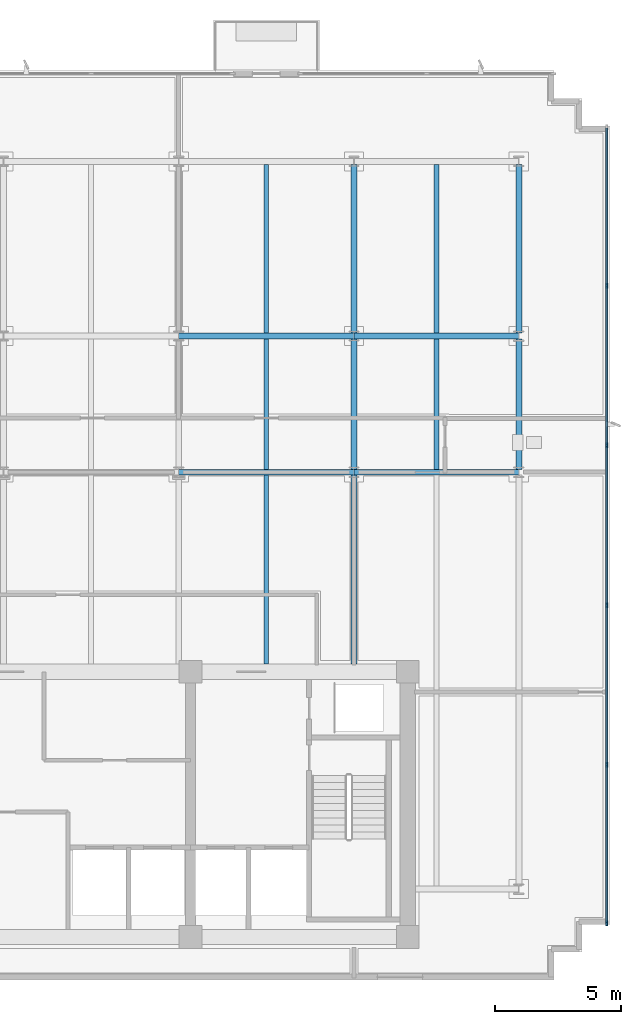
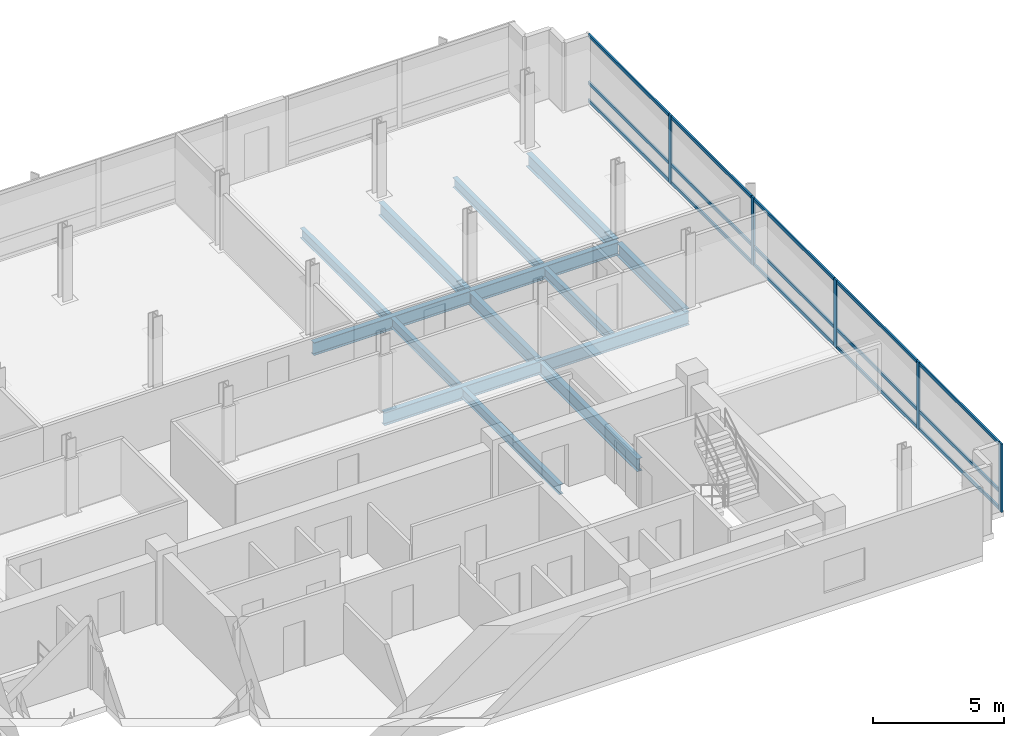
# One storey, part 4 of 15: 20 members, 14 beams, 1 element without a shape of its own.
"""IFC4 building model written with IfcOpenShell, lengths in metres."""

from ifc_helpers import new_model, si_unit, direction, frame, origin, origin_2d, place, context, subcontext, project, spatial, rectangle, i_section, extrude, material, material_profile, profile_set, type_object, element, aggregate, save


model = new_model("IFC4")

# Units and contexts
model_context = context("Model", 3, precision=1e-05, world=origin(), true_north=direction((0.0, 1.0)))
body_context = subcontext(model_context, "Body", "Model", "MODEL_VIEW")
ifc_project = project(units=[si_unit("LENGTHUNIT", "METRE"), si_unit("AREAUNIT", "SQUARE_METRE"), si_unit("VOLUMEUNIT", "CUBIC_METRE"), si_unit("PLANEANGLEUNIT", "RADIAN"), si_unit("MASSUNIT", "GRAM", prefix="KILO")], contexts=[model_context])

# Site, building, storey
site_placement = place(None, origin())
site = spatial("IfcSite", under=ifc_project, at=site_placement, CompositionType="ELEMENT")
building_placement = place(site_placement, origin())
building = spatial("IfcBuilding", under=site, at=building_placement, Name="Solmavex Isthmus Hotel", CompositionType="ELEMENT")
storey_placement = place(building_placement, frame((0.0, 0.0, 273.0)))
storey = spatial("IfcBuildingStorey", under=building, at=storey_placement, Name="L74", CompositionType="ELEMENT", Elevation=273.0)

# Beams
ifc_material_1 = material(Name="Steel ASTM A992 Grade 50", Category="steel")
ifc_material_profile_1 = material_profile(ifc_material_1, i_section(OverallWidth=0.1904296875, OverallDepth=0.456787109375, WebThickness=0.009033203125, FlangeThickness=0.014404296875, FilletRadius=0.0126953125, at=origin_2d()), Name="W18X50")
ifc_profile_set_1 = profile_set([ifc_material_profile_1], Name="Steel ASTM A992 Grade 50")
beam_type_1 = type_object("IfcBeamType", Name="BM-BJ-W18X50", PredefinedType="JOIST", material=ifc_profile_set_1)
beam_1_placement = place(storey_placement, frame((10.404052734375, -2.199951171875, -0.488525390625), z_axis=(0.0, 1.0, 0.0), x_axis=(-1.0, 0.0, 0.0)))
element("IfcBeam", 1, at=beam_1_placement, inside=storey, type_object=beam_type_1, Name="Secondary Floor Joist L74-J13", PredefinedType="JOIST", context=body_context, shape_type="SweptSolid", body=[
    extrude(i_section(OverallWidth=0.1904296875, OverallDepth=0.456787109375, WebThickness=0.009033203125, FlangeThickness=0.014404296875, FilletRadius=0.0126953125, at=origin_2d()), origin(), (0.0, 0.0, 1.0), 7.486083984375),
])
beam_2_placement = place(storey_placement, frame((10.404052734375, 5.513916015625, -0.488525390625), z_axis=(0.0, 1.0, 0.0), x_axis=(-1.0, 0.0, 0.0)))
element("IfcBeam", 2, at=beam_2_placement, inside=storey, type_object=beam_type_1, Name="Secondary Floor Joist L74-J14", PredefinedType="JOIST", context=body_context, shape_type="SweptSolid", body=[
    extrude(i_section(OverallWidth=0.1904296875, OverallDepth=0.456787109375, WebThickness=0.009033203125, FlangeThickness=0.014404296875, FilletRadius=0.0126953125, at=origin_2d()), origin(), (0.0, 0.0, 1.0), 5.16015625),
])
beam_3_placement = place(storey_placement, frame((10.404052734375, 10.90185546875, -0.488525390625), z_axis=(0.0, 1.0, 0.0), x_axis=(-1.0, 0.0, 0.0)))
element("IfcBeam", 3, at=beam_3_placement, inside=storey, type_object=beam_type_1, Name="Secondary Floor Joist L74-J15", PredefinedType="JOIST", context=body_context, shape_type="SweptSolid", body=[
    extrude(i_section(OverallWidth=0.1904296875, OverallDepth=0.456787109375, WebThickness=0.009033203125, FlangeThickness=0.014404296875, FilletRadius=0.0126953125, at=origin_2d()), origin(), (0.0, 0.0, 1.0), 6.682861328125),
])
beam_4_placement = place(storey_placement, frame((17.135986328125, 5.513916015625, -0.488525390625), z_axis=(0.0, 1.0, 0.0), x_axis=(-1.0, 0.0, 0.0)))
element("IfcBeam", 4, at=beam_4_placement, inside=storey, type_object=beam_type_1, Name="Secondary Floor Joist L74-J17", PredefinedType="JOIST", context=body_context, shape_type="SweptSolid", body=[
    extrude(i_section(OverallWidth=0.1904296875, OverallDepth=0.456787109375, WebThickness=0.009033203125, FlangeThickness=0.014404296875, FilletRadius=0.0126953125, at=origin_2d()), origin(), (0.0, 0.0, 1.0), 5.16015625),
])
beam_5_placement = place(storey_placement, frame((17.135986328125, 10.90185546875, -0.488525390625), z_axis=(0.0, 1.0, 0.0), x_axis=(-1.0, 0.0, 0.0)))
element("IfcBeam", 5, at=beam_5_placement, inside=storey, type_object=beam_type_1, Name="Secondary Floor Joist L74-J18", PredefinedType="JOIST", context=body_context, shape_type="SweptSolid", body=[
    extrude(i_section(OverallWidth=0.1904296875, OverallDepth=0.456787109375, WebThickness=0.009033203125, FlangeThickness=0.014404296875, FilletRadius=0.0126953125, at=origin_2d()), origin(), (0.0, 0.0, 1.0), 6.682861328125),
])
ifc_material_profile_2 = material_profile(ifc_material_1, i_section(OverallWidth=0.227783203125, OverallDepth=0.602783203125, WebThickness=0.010498046875, FlangeThickness=0.014892578125, FilletRadius=0.01513671875, at=origin_2d()), Name="W24X68")
ifc_profile_set_2 = profile_set([ifc_material_profile_2], Name="Steel ASTM A992 Grade 50")
beam_type_2 = type_object("IfcBeamType", Name="BM-BM-W24X68", PredefinedType="BEAM", material=ifc_profile_set_2)
beam_6_placement = place(storey_placement, frame((6.93603515625, 5.39990234375, -0.561279296875), z_axis=(1.0, 0.0, 0.0), x_axis=(0.0, 1.0, 0.0)))
element("IfcBeam", 6, at=beam_6_placement, inside=storey, type_object=beam_type_2, Name="Floor Girder L74-UG07", PredefinedType="BEAM", context=body_context, shape_type="SweptSolid", body=[
    extrude(i_section(OverallWidth=0.227783203125, OverallDepth=0.602783203125, WebThickness=0.010498046875, FlangeThickness=0.014892578125, FilletRadius=0.01513671875, at=origin_2d()), origin(), (0.0, 0.0, 1.0), 6.93603515625),
])
beam_7_placement = place(storey_placement, frame((13.8720703125, 5.39990234375, -0.561279296875), z_axis=(1.0, 0.0, 0.0), x_axis=(0.0, 1.0, 0.0)))
element("IfcBeam", 7, at=beam_7_placement, inside=storey, type_object=beam_type_2, Name="Floor Girder L74-UG08", PredefinedType="BEAM", context=body_context, shape_type="SweptSolid", body=[
    extrude(i_section(OverallWidth=0.227783203125, OverallDepth=0.602783203125, WebThickness=0.010498046875, FlangeThickness=0.014892578125, FilletRadius=0.01513671875, at=origin_2d()), origin(), (0.0, 0.0, 1.0), 6.52783203125),
])
beam_8_placement = place(storey_placement, frame((6.93603515625, 10.7880859375, -0.561279296875), z_axis=(1.0, 0.0, 0.0), x_axis=(0.0, 1.0, 0.0)))
element("IfcBeam", 8, at=beam_8_placement, inside=storey, type_object=beam_type_2, Name="Floor Girder L74-UG13", PredefinedType="BEAM", context=body_context, shape_type="SweptSolid", body=[
    extrude(i_section(OverallWidth=0.227783203125, OverallDepth=0.602783203125, WebThickness=0.010498046875, FlangeThickness=0.014892578125, FilletRadius=0.01513671875, at=origin_2d()), origin(), (0.0, 0.0, 1.0), 6.93603515625),
])
beam_9_placement = place(storey_placement, frame((13.8720703125, 10.7880859375, -0.561279296875), z_axis=(1.0, 0.0, 0.0), x_axis=(0.0, 1.0, 0.0)))
element("IfcBeam", 9, at=beam_9_placement, inside=storey, type_object=beam_type_2, Name="Floor Girder L74-UG14", PredefinedType="BEAM", context=body_context, shape_type="SweptSolid", body=[
    extrude(i_section(OverallWidth=0.227783203125, OverallDepth=0.602783203125, WebThickness=0.010498046875, FlangeThickness=0.014892578125, FilletRadius=0.01513671875, at=origin_2d()), origin(), (0.0, 0.0, 1.0), 6.52783203125),
])
beam_10_placement = place(storey_placement, frame((13.8720703125, -2.199951171875, -0.561279296875), z_axis=(0.0, 1.0, 0.0), x_axis=(-1.0, 0.0, 0.0)))
element("IfcBeam", 10, at=beam_10_placement, inside=storey, type_object=beam_type_2, Name="Floor Beam L74-VG36", PredefinedType="BEAM", context=body_context, shape_type="SweptSolid", body=[
    extrude(i_section(OverallWidth=0.227783203125, OverallDepth=0.602783203125, WebThickness=0.010498046875, FlangeThickness=0.014892578125, FilletRadius=0.01513671875, at=origin_2d()), origin(), (0.0, 0.0, 1.0), 7.486083984375),
])
beam_11_placement = place(storey_placement, frame((13.8720703125, 5.513916015625, -0.561279296875), z_axis=(0.0, 1.0, 0.0), x_axis=(-1.0, 0.0, 0.0)))
element("IfcBeam", 11, at=beam_11_placement, inside=storey, type_object=beam_type_2, Name="Floor Beam L74-VG37", PredefinedType="BEAM", context=body_context, shape_type="SweptSolid", body=[
    extrude(i_section(OverallWidth=0.227783203125, OverallDepth=0.602783203125, WebThickness=0.010498046875, FlangeThickness=0.014892578125, FilletRadius=0.01513671875, at=origin_2d()), origin(), (0.0, 0.0, 1.0), 5.16015625),
])
beam_12_placement = place(storey_placement, frame((13.8720703125, 10.90185546875, -0.561279296875), z_axis=(0.0, 1.0, 0.0), x_axis=(-1.0, 0.0, 0.0)))
element("IfcBeam", 12, at=beam_12_placement, inside=storey, type_object=beam_type_2, Name="Floor Beam L74-VG38", PredefinedType="BEAM", context=body_context, shape_type="SweptSolid", body=[
    extrude(i_section(OverallWidth=0.227783203125, OverallDepth=0.602783203125, WebThickness=0.010498046875, FlangeThickness=0.014892578125, FilletRadius=0.01513671875, at=origin_2d()), origin(), (0.0, 0.0, 1.0), 6.682861328125),
])
ifc_material_profile_3 = material_profile(ifc_material_1, i_section(OverallWidth=0.230224609375, OverallDepth=0.617431640625, WebThickness=0.01318359375, FlangeThickness=0.022216796875, FilletRadius=0.01513671875, at=origin_2d()), Name="W24X94")
ifc_profile_set_3 = profile_set([ifc_material_profile_3], Name="Steel ASTM A992 Grade 50")
beam_type_3 = type_object("IfcBeamType", Name="BM-SP-W24X94", PredefinedType="SPANDREL", material=ifc_profile_set_3)
beam_13_placement = place(storey_placement, frame((20.39990234375, 5.513916015625, -0.56884765625), z_axis=(0.0, 1.0, 0.0), x_axis=(-1.0, 0.0, 0.0)))
element("IfcBeam", 13, at=beam_13_placement, inside=storey, type_object=beam_type_3, Name="Floor Beam L74-VG40", PredefinedType="SPANDREL", context=body_context, shape_type="SweptSolid", body=[
    extrude(i_section(OverallWidth=0.230224609375, OverallDepth=0.617431640625, WebThickness=0.01318359375, FlangeThickness=0.022216796875, FilletRadius=0.01513671875, at=origin_2d()), origin(), (0.0, 0.0, 1.0), 5.16015625),
])
beam_14_placement = place(storey_placement, frame((20.39990234375, 10.90185546875, -0.56884765625), z_axis=(0.0, 1.0, 0.0), x_axis=(-1.0, 0.0, 0.0)))
element("IfcBeam", 14, at=beam_14_placement, inside=storey, type_object=beam_type_3, Name="Floor Beam L74-VG41", PredefinedType="SPANDREL", context=body_context, shape_type="SweptSolid", body=[
    extrude(i_section(OverallWidth=0.230224609375, OverallDepth=0.617431640625, WebThickness=0.01318359375, FlangeThickness=0.022216796875, FilletRadius=0.01513671875, at=origin_2d()), origin(), (0.0, 0.0, 1.0), 6.682861328125),
])

# Curtain wall, members
ifc_material_2 = material(Name="Aluminium alloy 6063-T6", Category="aluminium")
curtain_wall_type = type_object("IfcCurtainWallType", Name="CW-SYS-04", PredefinedType="NOTDEFINED", material=ifc_material_2)
curtain_wall_placement = place(storey_placement, origin())
curtain_wall = element("IfcCurtainWall", 15, at=curtain_wall_placement, inside=storey, type_object=curtain_wall_type, Name="Stick Curtain Wall CWL-L74-E1", PredefinedType="NOTDEFINED")
ifc_material_profile_4 = material_profile(ifc_material_2, rectangle(XDim=0.074951171875, YDim=0.199951171875, at=origin_2d()), Name="CWM-75X200")
ifc_profile_set_4 = profile_set([ifc_material_profile_4], Name="Aluminium alloy 6063-T6")
member_type_1 = type_object("IfcMemberType", Name="CW-SYS-04-MUL", PredefinedType="MULLION", material=ifc_profile_set_4)
member_1_placement = place(storey_placement, frame((23.8798828125, -12.46240234375, 0.0), z_axis=(0.0, 0.0, 1.0), x_axis=(-1.0, 0.0, 0.0)))
member_1 = element("IfcMember", 16, at=member_1_placement, type_object=member_type_1, Name="CW-04 mullion 1", PredefinedType="MULLION", context=body_context, shape_type="SweptSolid", body=[
    extrude(rectangle(XDim=0.074951171875, YDim=0.199951171875, at=origin_2d()), origin(), (0.0, 0.0, 1.0), 3.18994140625),
])
member_2_placement = place(storey_placement, frame((23.8798828125, -6.179931640625, 0.0), z_axis=(0.0, 0.0, 1.0), x_axis=(-1.0, 0.0, 0.0)))
member_2 = element("IfcMember", 17, at=member_2_placement, type_object=member_type_1, Name="CW-04 mullion 2", PredefinedType="MULLION", context=body_context, shape_type="SweptSolid", body=[
    extrude(rectangle(XDim=0.074951171875, YDim=0.199951171875, at=origin_2d()), origin(), (0.0, 0.0, 1.0), 3.18994140625),
])
member_3_placement = place(storey_placement, frame((23.8798828125, 0.139892578125, 0.0), z_axis=(0.0, 0.0, 1.0), x_axis=(-1.0, 0.0, 0.0)))
member_3 = element("IfcMember", 18, at=member_3_placement, type_object=member_type_1, Name="CW-04 mullion 3", PredefinedType="MULLION", context=body_context, shape_type="SweptSolid", body=[
    extrude(rectangle(XDim=0.074951171875, YDim=0.199951171875, at=origin_2d()), origin(), (0.0, 0.0, 1.0), 3.18994140625),
])
member_4_placement = place(storey_placement, frame((23.8798828125, 6.4599609375, 0.0), z_axis=(0.0, 0.0, 1.0), x_axis=(-1.0, 0.0, 0.0)))
member_4 = element("IfcMember", 19, at=member_4_placement, type_object=member_type_1, Name="CW-04 mullion 4", PredefinedType="MULLION", context=body_context, shape_type="SweptSolid", body=[
    extrude(rectangle(XDim=0.074951171875, YDim=0.199951171875, at=origin_2d()), origin(), (0.0, 0.0, 1.0), 3.18994140625),
])
member_5_placement = place(storey_placement, frame((23.8798828125, 12.780029296875, 0.0), z_axis=(0.0, 0.0, 1.0), x_axis=(-1.0, 0.0, 0.0)))
member_5 = element("IfcMember", 20, at=member_5_placement, type_object=member_type_1, Name="CW-04 mullion 5", PredefinedType="MULLION", context=body_context, shape_type="SweptSolid", body=[
    extrude(rectangle(XDim=0.074951171875, YDim=0.199951171875, at=origin_2d()), origin(), (0.0, 0.0, 1.0), 3.18994140625),
])
ifc_material_profile_5 = material_profile(ifc_material_2, rectangle(XDim=0.074951171875, YDim=0.14990234375, at=origin_2d()), Name="CWT-75X150")
ifc_profile_set_5 = profile_set([ifc_material_profile_5], Name="Aluminium alloy 6063-T6")
member_type_2 = type_object("IfcMemberType", Name="CW-SYS-04-TRN", PredefinedType="USERDEFINED", material=ifc_profile_set_5)
member_6_placement = place(storey_placement, frame((23.8798828125, -12.425048828125, 0.074951171875), z_axis=(0.0, 1.0, 0.0), x_axis=(-1.0, 0.0, 0.0)))
member_6 = element("IfcMember", 21, at=member_6_placement, type_object=member_type_2, Name="CW-04 transom 1.1", ObjectType="TRANSOM", PredefinedType="USERDEFINED", context=body_context, shape_type="SweptSolid", body=[
    extrude(rectangle(XDim=0.074951171875, YDim=0.14990234375, at=origin_2d()), origin(), (0.0, 0.0, 1.0), 6.20751953125),
])
member_7_placement = place(storey_placement, frame((23.8798828125, -12.425048828125, 0.89990234375), z_axis=(0.0, 1.0, 0.0), x_axis=(-1.0, 0.0, 0.0)))
member_7 = element("IfcMember", 22, at=member_7_placement, type_object=member_type_2, Name="CW-04 transom 1.2", ObjectType="TRANSOM", PredefinedType="USERDEFINED", context=body_context, shape_type="SweptSolid", body=[
    extrude(rectangle(XDim=0.074951171875, YDim=0.14990234375, at=origin_2d()), origin(), (0.0, 0.0, 1.0), 6.20751953125),
])
member_8_placement = place(storey_placement, frame((23.8798828125, -12.425048828125, 3.114990234375), z_axis=(0.0, 1.0, 0.0), x_axis=(-1.0, 0.0, 0.0)))
member_8 = element("IfcMember", 23, at=member_8_placement, type_object=member_type_2, Name="CW-04 transom 1.3", ObjectType="TRANSOM", PredefinedType="USERDEFINED", context=body_context, shape_type="SweptSolid", body=[
    extrude(rectangle(XDim=0.074951171875, YDim=0.14990234375, at=origin_2d()), origin(), (0.0, 0.0, 1.0), 6.20751953125),
])
member_9_placement = place(storey_placement, frame((23.8798828125, -6.142578125, 0.074951171875), z_axis=(0.0, 1.0, 0.0), x_axis=(-1.0, 0.0, 0.0)))
member_9 = element("IfcMember", 24, at=member_9_placement, type_object=member_type_2, Name="CW-04 transom 2.1", ObjectType="TRANSOM", PredefinedType="USERDEFINED", context=body_context, shape_type="SweptSolid", body=[
    extrude(rectangle(XDim=0.074951171875, YDim=0.14990234375, at=origin_2d()), origin(), (0.0, 0.0, 1.0), 6.2451171875),
])
member_10_placement = place(storey_placement, frame((23.8798828125, -6.142578125, 0.89990234375), z_axis=(0.0, 1.0, 0.0), x_axis=(-1.0, 0.0, 0.0)))
member_10 = element("IfcMember", 25, at=member_10_placement, type_object=member_type_2, Name="CW-04 transom 2.2", ObjectType="TRANSOM", PredefinedType="USERDEFINED", context=body_context, shape_type="SweptSolid", body=[
    extrude(rectangle(XDim=0.074951171875, YDim=0.14990234375, at=origin_2d()), origin(), (0.0, 0.0, 1.0), 6.2451171875),
])
member_11_placement = place(storey_placement, frame((23.8798828125, -6.142578125, 3.114990234375), z_axis=(0.0, 1.0, 0.0), x_axis=(-1.0, 0.0, 0.0)))
member_11 = element("IfcMember", 26, at=member_11_placement, type_object=member_type_2, Name="CW-04 transom 2.3", ObjectType="TRANSOM", PredefinedType="USERDEFINED", context=body_context, shape_type="SweptSolid", body=[
    extrude(rectangle(XDim=0.074951171875, YDim=0.14990234375, at=origin_2d()), origin(), (0.0, 0.0, 1.0), 6.2451171875),
])
member_12_placement = place(storey_placement, frame((23.8798828125, 0.177490234375, 0.074951171875), z_axis=(0.0, 1.0, 0.0), x_axis=(-1.0, 0.0, 0.0)))
member_12 = element("IfcMember", 27, at=member_12_placement, type_object=member_type_2, Name="CW-04 transom 3.1", ObjectType="TRANSOM", PredefinedType="USERDEFINED", context=body_context, shape_type="SweptSolid", body=[
    extrude(rectangle(XDim=0.074951171875, YDim=0.14990234375, at=origin_2d()), origin(), (0.0, 0.0, 1.0), 6.2451171875),
])
member_13_placement = place(storey_placement, frame((23.8798828125, 0.177490234375, 0.89990234375), z_axis=(0.0, 1.0, 0.0), x_axis=(-1.0, 0.0, 0.0)))
member_13 = element("IfcMember", 28, at=member_13_placement, type_object=member_type_2, Name="CW-04 transom 3.2", ObjectType="TRANSOM", PredefinedType="USERDEFINED", context=body_context, shape_type="SweptSolid", body=[
    extrude(rectangle(XDim=0.074951171875, YDim=0.14990234375, at=origin_2d()), origin(), (0.0, 0.0, 1.0), 6.2451171875),
])
member_14_placement = place(storey_placement, frame((23.8798828125, 0.177490234375, 3.114990234375), z_axis=(0.0, 1.0, 0.0), x_axis=(-1.0, 0.0, 0.0)))
member_14 = element("IfcMember", 29, at=member_14_placement, type_object=member_type_2, Name="CW-04 transom 3.3", ObjectType="TRANSOM", PredefinedType="USERDEFINED", context=body_context, shape_type="SweptSolid", body=[
    extrude(rectangle(XDim=0.074951171875, YDim=0.14990234375, at=origin_2d()), origin(), (0.0, 0.0, 1.0), 6.2451171875),
])
member_15_placement = place(storey_placement, frame((23.8798828125, 6.49755859375, 0.074951171875), z_axis=(0.0, 1.0, 0.0), x_axis=(-1.0, 0.0, 0.0)))
member_15 = element("IfcMember", 30, at=member_15_placement, type_object=member_type_2, Name="CW-04 transom 4.1", ObjectType="TRANSOM", PredefinedType="USERDEFINED", context=body_context, shape_type="SweptSolid", body=[
    extrude(rectangle(XDim=0.074951171875, YDim=0.14990234375, at=origin_2d()), origin(), (0.0, 0.0, 1.0), 6.244873046875),
])
member_16_placement = place(storey_placement, frame((23.8798828125, 6.49755859375, 0.89990234375), z_axis=(0.0, 1.0, 0.0), x_axis=(-1.0, 0.0, 0.0)))
member_16 = element("IfcMember", 31, at=member_16_placement, type_object=member_type_2, Name="CW-04 transom 4.2", ObjectType="TRANSOM", PredefinedType="USERDEFINED", context=body_context, shape_type="SweptSolid", body=[
    extrude(rectangle(XDim=0.074951171875, YDim=0.14990234375, at=origin_2d()), origin(), (0.0, 0.0, 1.0), 6.244873046875),
])
member_17_placement = place(storey_placement, frame((23.8798828125, 6.49755859375, 3.114990234375), z_axis=(0.0, 1.0, 0.0), x_axis=(-1.0, 0.0, 0.0)))
member_17 = element("IfcMember", 32, at=member_17_placement, type_object=member_type_2, Name="CW-04 transom 4.3", ObjectType="TRANSOM", PredefinedType="USERDEFINED", context=body_context, shape_type="SweptSolid", body=[
    extrude(rectangle(XDim=0.074951171875, YDim=0.14990234375, at=origin_2d()), origin(), (0.0, 0.0, 1.0), 6.244873046875),
])
member_18_placement = place(storey_placement, frame((23.8798828125, 12.8173828125, 0.074951171875), z_axis=(0.0, 1.0, 0.0), x_axis=(-1.0, 0.0, 0.0)))
member_18 = element("IfcMember", 33, at=member_18_placement, type_object=member_type_2, Name="CW-04 transom 5.1", ObjectType="TRANSOM", PredefinedType="USERDEFINED", context=body_context, shape_type="SweptSolid", body=[
    extrude(rectangle(XDim=0.074951171875, YDim=0.14990234375, at=origin_2d()), origin(), (0.0, 0.0, 1.0), 6.20751953125),
])
member_19_placement = place(storey_placement, frame((23.8798828125, 12.8173828125, 0.89990234375), z_axis=(0.0, 1.0, 0.0), x_axis=(-1.0, 0.0, 0.0)))
member_19 = element("IfcMember", 34, at=member_19_placement, type_object=member_type_2, Name="CW-04 transom 5.2", ObjectType="TRANSOM", PredefinedType="USERDEFINED", context=body_context, shape_type="SweptSolid", body=[
    extrude(rectangle(XDim=0.074951171875, YDim=0.14990234375, at=origin_2d()), origin(), (0.0, 0.0, 1.0), 6.20751953125),
])
member_20_placement = place(storey_placement, frame((23.8798828125, 12.8173828125, 3.114990234375), z_axis=(0.0, 1.0, 0.0), x_axis=(-1.0, 0.0, 0.0)))
member_20 = element("IfcMember", 35, at=member_20_placement, type_object=member_type_2, Name="CW-04 transom 5.3", ObjectType="TRANSOM", PredefinedType="USERDEFINED", context=body_context, shape_type="SweptSolid", body=[
    extrude(rectangle(XDim=0.074951171875, YDim=0.14990234375, at=origin_2d()), origin(), (0.0, 0.0, 1.0), 6.20751953125),
])
aggregate(curtain_wall, [member_1, member_2, member_3, member_4, member_5, member_6, member_7, member_8, member_9, member_10, member_11, member_12, member_13, member_14, member_15, member_16, member_17, member_18, member_19, member_20])

save(model, "model.ifc")
